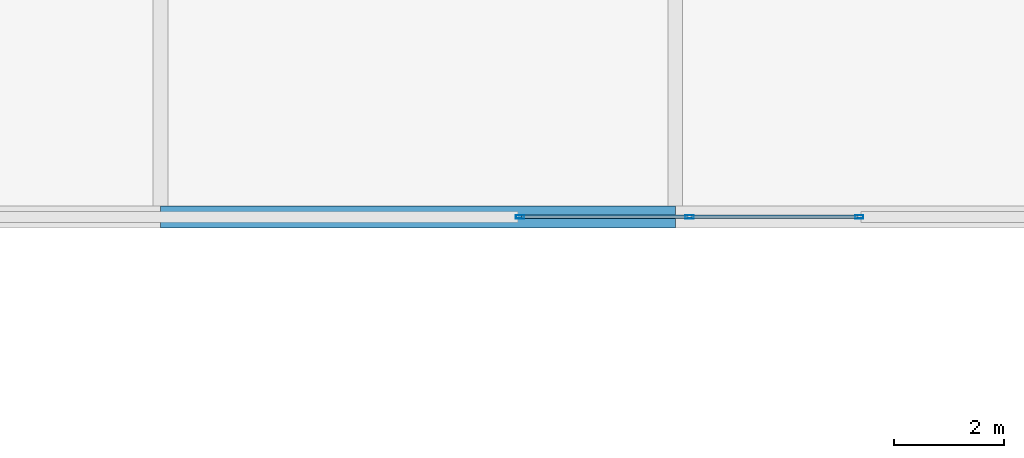
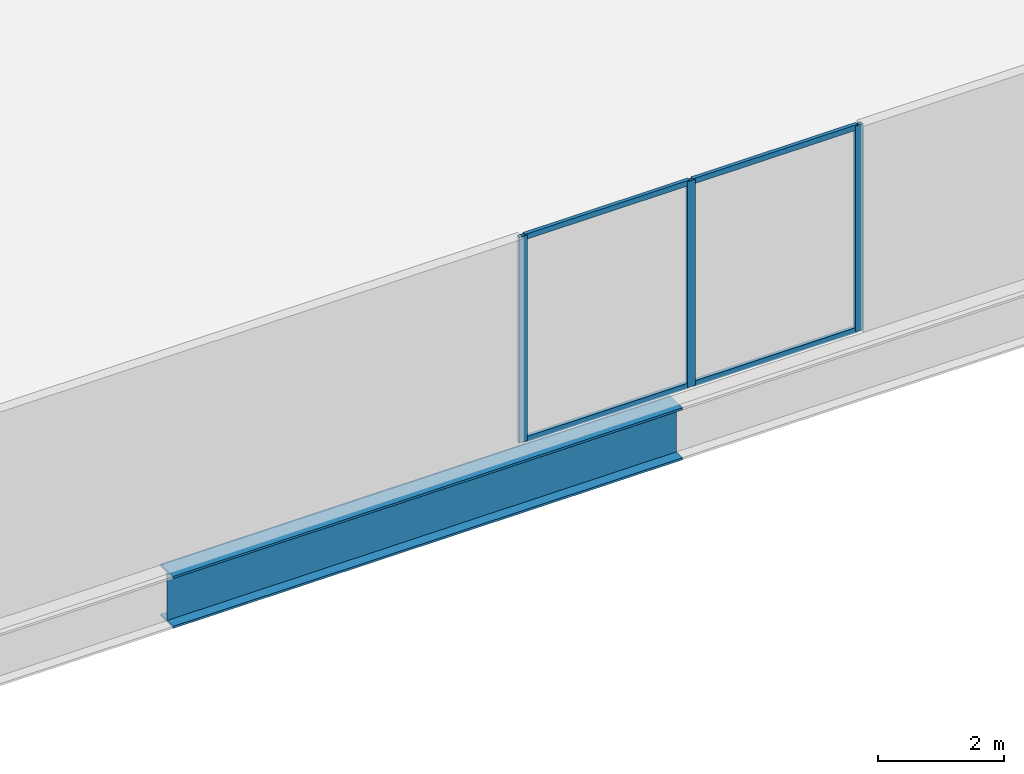
# One storey, part 19 of 51: 7 members, 1 beam, 1 element without a shape of its own.
"""IFC4 building model written with IfcOpenShell, lengths in metres."""

from ifc_helpers import new_model, si_unit, direction, frame, origin, origin_2d, place, context, subcontext, project, spatial, hollow_rectangle, i_section, extrude, material, material_profile, profile_set, type_object, element, aggregate, save


model = new_model("IFC4")

# Units and contexts
model_context = context("Model", 3, precision=1e-05, world=origin(), true_north=direction((0.0, 1.0)))
body_context = subcontext(model_context, "Body", "Model", "MODEL_VIEW")
ifc_project = project(units=[si_unit("LENGTHUNIT", "METRE"), si_unit("AREAUNIT", "SQUARE_METRE"), si_unit("VOLUMEUNIT", "CUBIC_METRE"), si_unit("PLANEANGLEUNIT", "RADIAN"), si_unit("MASSUNIT", "GRAM", prefix="KILO")], contexts=[model_context])

# Site, building, storey
site_placement = place(None, origin())
site = spatial("IfcSite", under=ifc_project, at=site_placement, CompositionType="ELEMENT")
building_placement = place(site_placement, origin())
building = spatial("IfcBuilding", under=site, at=building_placement, Name="Tashvorn Skyway Center", CompositionType="ELEMENT")
storey_placement = place(building_placement, frame((0.0, 0.0, 251.39990234375)))
storey = spatial("IfcBuildingStorey", under=building, at=storey_placement, Name="L68", CompositionType="ELEMENT", Elevation=251.39990234375)

# Beam
ifc_material_1 = material(Name="Steel ASTM A913 Grade 65", Category="steel")
ifc_material_profile_1 = material_profile(ifc_material_1, i_section(OverallWidth=0.40087890625, OverallDepth=1.010986328125, WebThickness=0.023681640625, FlangeThickness=0.0419921875, at=origin_2d()), Name="W40X297")
ifc_profile_set_1 = profile_set([ifc_material_profile_1], Name="Steel ASTM A913 Grade 65")
beam_type = type_object("IfcBeamType", Name="BM-BEAM-W40X297", PredefinedType="BEAM", material=ifc_profile_set_1)
beam_placement = place(storey_placement, frame((66.39990234375, 24.10009765625, -0.725341796875), z_axis=(1.0, 0.0, 0.0), x_axis=(0.0, 1.0, 0.0)))
element("IfcBeam", 1, at=beam_placement, inside=storey, type_object=beam_type, Name="Sky-Park Truss 1 Bottom Chord Panel 07", PredefinedType="BEAM", context=body_context, shape_type="SweptSolid", body=[
    extrude(i_section(OverallWidth=0.40087890625, OverallDepth=1.010986328125, WebThickness=0.023681640625, FlangeThickness=0.0419921875, at=origin_2d()), origin(), (0.0, 0.0, 1.0), 9.35009765625),
])

# Curtain wall, members
ifc_material_2 = material(Name="Thermally broken bronze-anodized aluminium 6063-T6", Category="aluminium")
curtain_wall_type = type_object("IfcCurtainWallType", Name="CW-CW-SKY", PredefinedType="NOTDEFINED", material=ifc_material_2)
curtain_wall_placement = place(storey_placement, origin())
curtain_wall = element("IfcCurtainWall", 2, at=curtain_wall_placement, inside=storey, type_object=curtain_wall_type, Name="Sky-Park L68 Bridge South Curtain Wall Glazing Group 2", PredefinedType="NOTDEFINED")
ifc_material_profile_2 = material_profile(ifc_material_2, hollow_rectangle(XDim=0.06494140625, YDim=0.14990234375, WallThickness=0.00390625, at=origin_2d()), Name="ALU-MULL-65x150")
ifc_profile_set_2 = profile_set([ifc_material_profile_2], Name="Thermally broken bronze-anodized aluminium 6063-T6")
member_type_1 = type_object("IfcMemberType", Name="CWM-CW-SKY", PredefinedType="MULLION", material=ifc_profile_set_2)
member_1_placement = place(storey_placement, frame((79.092529296875, 24.10009765625, 0.0), z_axis=(0.0, 0.0, 1.0), x_axis=(0.0, -1.0, 0.0)))
member_1 = element("IfcMember", 3, at=member_1_placement, type_object=member_type_1, Name="CW-SKY mullion 1", PredefinedType="MULLION", context=body_context, shape_type="SweptSolid", body=[
    extrude(hollow_rectangle(XDim=0.06494140625, YDim=0.14990234375, WallThickness=0.00390625, at=origin_2d()), origin(), (0.0, 0.0, 1.0), 4.0),
])
member_2_placement = place(storey_placement, frame((76.010009765625, 24.10009765625, 0.0), z_axis=(0.0, 0.0, 1.0), x_axis=(0.0, -1.0, 0.0)))
member_2 = element("IfcMember", 4, at=member_2_placement, type_object=member_type_1, Name="CW-SKY mullion 2", PredefinedType="MULLION", context=body_context, shape_type="SweptSolid", body=[
    extrude(hollow_rectangle(XDim=0.06494140625, YDim=0.14990234375, WallThickness=0.00390625, at=origin_2d()), origin(), (0.0, 0.0, 1.0), 4.0),
])
member_3_placement = place(storey_placement, frame((72.927490234375, 24.10009765625, 0.0), z_axis=(0.0, 0.0, 1.0), x_axis=(0.0, -1.0, 0.0)))
member_3 = element("IfcMember", 5, at=member_3_placement, type_object=member_type_1, Name="CW-SKY mullion 3", PredefinedType="MULLION", context=body_context, shape_type="SweptSolid", body=[
    extrude(hollow_rectangle(XDim=0.06494140625, YDim=0.14990234375, WallThickness=0.00390625, at=origin_2d()), origin(), (0.0, 0.0, 1.0), 4.0),
])
ifc_material_profile_3 = material_profile(ifc_material_2, hollow_rectangle(XDim=0.06494140625, YDim=0.10498046875, WallThickness=0.00390625, at=origin_2d()), Name="ALU-TRAN-65x105")
ifc_profile_set_3 = profile_set([ifc_material_profile_3], Name="Thermally broken bronze-anodized aluminium 6063-T6")
member_type_2 = type_object("IfcMemberType", Name="CWT-CW-SKY", PredefinedType="USERDEFINED", material=ifc_profile_set_3)
member_4_placement = place(storey_placement, frame((79.06005859375, 24.10009765625, 0.03271484375), z_axis=(-1.0, 0.0, 0.0), x_axis=(0.0, -1.0, 0.0)))
member_4 = element("IfcMember", 6, at=member_4_placement, type_object=member_type_2, Name="CW-SKY transom 1.1", ObjectType="TRANSOM", PredefinedType="USERDEFINED", context=body_context, shape_type="SweptSolid", body=[
    extrude(hollow_rectangle(XDim=0.06494140625, YDim=0.10498046875, WallThickness=0.00390625, at=origin_2d()), origin(), (0.0, 0.0, 1.0), 3.017578125),
])
member_5_placement = place(storey_placement, frame((79.06005859375, 24.10009765625, 3.967529296875), z_axis=(-1.0, 0.0, 0.0), x_axis=(0.0, -1.0, 0.0)))
member_5 = element("IfcMember", 7, at=member_5_placement, type_object=member_type_2, Name="CW-SKY transom 1.2", ObjectType="TRANSOM", PredefinedType="USERDEFINED", context=body_context, shape_type="SweptSolid", body=[
    extrude(hollow_rectangle(XDim=0.06494140625, YDim=0.10498046875, WallThickness=0.00390625, at=origin_2d()), origin(), (0.0, 0.0, 1.0), 3.017578125),
])
member_6_placement = place(storey_placement, frame((75.9775390625, 24.10009765625, 0.03271484375), z_axis=(-1.0, 0.0, 0.0), x_axis=(0.0, -1.0, 0.0)))
member_6 = element("IfcMember", 8, at=member_6_placement, type_object=member_type_2, Name="CW-SKY transom 2.1", ObjectType="TRANSOM", PredefinedType="USERDEFINED", context=body_context, shape_type="SweptSolid", body=[
    extrude(hollow_rectangle(XDim=0.06494140625, YDim=0.10498046875, WallThickness=0.00390625, at=origin_2d()), origin(), (0.0, 0.0, 1.0), 3.017578125),
])
member_7_placement = place(storey_placement, frame((75.9775390625, 24.10009765625, 3.967529296875), z_axis=(-1.0, 0.0, 0.0), x_axis=(0.0, -1.0, 0.0)))
member_7 = element("IfcMember", 9, at=member_7_placement, type_object=member_type_2, Name="CW-SKY transom 2.2", ObjectType="TRANSOM", PredefinedType="USERDEFINED", context=body_context, shape_type="SweptSolid", body=[
    extrude(hollow_rectangle(XDim=0.06494140625, YDim=0.10498046875, WallThickness=0.00390625, at=origin_2d()), origin(), (0.0, 0.0, 1.0), 3.017578125),
])
aggregate(curtain_wall, [member_1, member_2, member_3, member_4, member_5, member_6, member_7])

save(model, "model.ifc")
